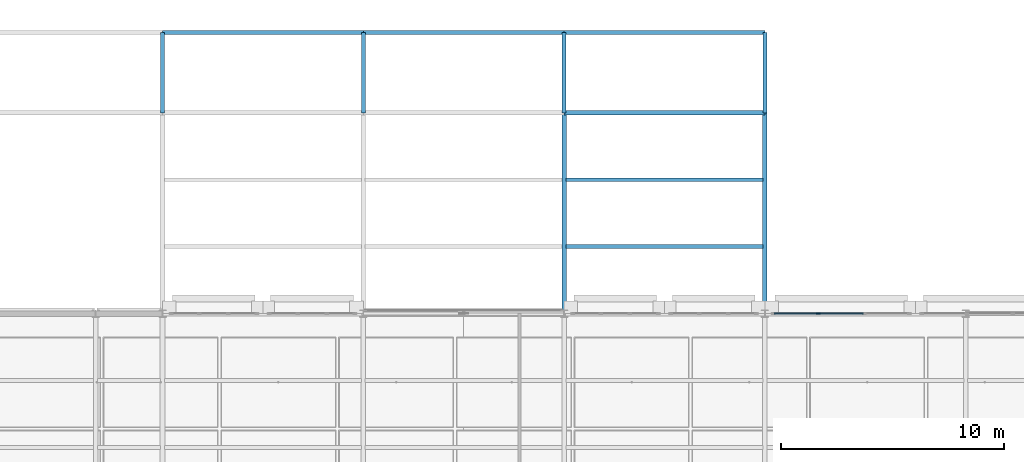
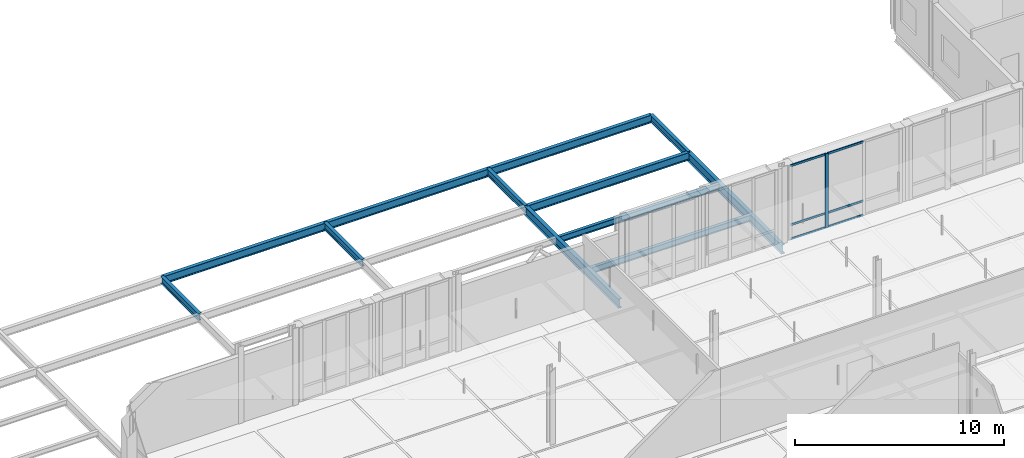
# One storey, part 57 of 140: 12 beams, 7 members, 1 element without a shape of its own.
"""IFC4 building model written with IfcOpenShell, lengths in metres."""

from ifc_helpers import new_model, si_unit, direction, frame, origin, origin_2d, place, context, subcontext, project, spatial, rectangle, i_section, extrude, material, material_profile, profile_set, type_object, element, aggregate, save


model = new_model("IFC4")

# Units and contexts
model_context = context("Model", 3, precision=1e-05, world=origin(), true_north=direction((0.0, 1.0)))
body_context = subcontext(model_context, "Body", "Model", "MODEL_VIEW")
ifc_project = project(units=[si_unit("LENGTHUNIT", "METRE"), si_unit("AREAUNIT", "SQUARE_METRE"), si_unit("VOLUMEUNIT", "CUBIC_METRE"), si_unit("PLANEANGLEUNIT", "RADIAN"), si_unit("MASSUNIT", "GRAM", prefix="KILO"), si_unit("THERMODYNAMICTEMPERATUREUNIT", "KELVIN"), si_unit("POWERUNIT", "WATT")], contexts=[model_context])

# Site, building, storey
site_placement = place(None, origin())
site = spatial("IfcSite", under=ifc_project, at=site_placement, CompositionType="ELEMENT")
building_placement = place(site_placement, origin())
building = spatial("IfcBuilding", under=site, at=building_placement, Name="Tallowbark Science Centre", CompositionType="ELEMENT")
storey_placement = place(building_placement, frame((0.0, 0.0, 9.89990234375)))
storey = spatial("IfcBuildingStorey", under=building, at=storey_placement, Name="L02", CompositionType="ELEMENT", Elevation=9.89990234375)

# Beams
ifc_material_1 = material(Name="Structural Steel Grade 300PLUS (300 MPa)", Category="steel")
ifc_material_profile_1 = material_profile(ifc_material_1, i_section(OverallWidth=0.177734375, OverallDepth=0.406494140625, WebThickness=0.0078125, FlangeThickness=0.0126953125, FilletRadius=0.011474609375, at=origin_2d()), Name="410UB59.7")
ifc_profile_set_1 = profile_set([ifc_material_profile_1], Name="Structural Steel Grade 300PLUS (300 MPa)")
beam_type_1 = type_object("IfcBeamType", Name="BM-UB410", PredefinedType="BEAM", material=ifc_profile_set_1)
for number, where, z_axis, x_axis, name in (
    (1, (72.0, 108.0, -0.383056640625), (0.0, 1.0, 0.0), (-1.0, 0.0, 0.0), "Primary Girder GRDY-L02-720-1080-1116"),
    (2, (81.0, 108.0, -0.383056640625), (0.0, 1.0, 0.0), (-1.0, 0.0, 0.0), "Primary Girder GRDY-L02-810-1080-1116"),
    (3, (90.0, 108.0, -0.383056640625), (0.0, 1.0, 0.0), (-1.0, 0.0, 0.0), "Primary Girder GRDY-L02-900-1080-1116"),
    (4, (99.0, 108.0, -0.383056640625), (0.0, 1.0, 0.0), (-1.0, 0.0, 0.0), "Primary Girder GRDY-L02-990-1080-1116"),
):
    element("IfcBeam", number, at=place(storey_placement, frame(where, z_axis=z_axis, x_axis=x_axis)), inside=storey, type_object=beam_type_1, Name=name, PredefinedType="BEAM", context=body_context, shape_type="SweptSolid", body=[
        extrude(i_section(OverallWidth=0.177734375, OverallDepth=0.406494140625, WebThickness=0.0078125, FlangeThickness=0.0126953125, FilletRadius=0.011474609375, at=origin_2d()), origin(), (0.0, 0.0, 1.0), 3.60009765625),
    ])
ifc_material_profile_2 = material_profile(ifc_material_1, i_section(OverallWidth=0.208740234375, OverallDepth=0.5283203125, WebThickness=0.009521484375, FlangeThickness=0.01318359375, FilletRadius=0.013916015625, at=origin_2d()), Name="530UB82.0")
ifc_profile_set_2 = profile_set([ifc_material_profile_2], Name="Structural Steel Grade 300PLUS (300 MPa)")
beam_type_2 = type_object("IfcBeamType", Name="BM-UB530B", PredefinedType="BEAM", material=ifc_profile_set_2)
for number, where, z_axis, x_axis, name in (
    (5, (90.0, 99.0, -0.444091796875), (0.0, 1.0, 0.0), (-1.0, 0.0, 0.0), "Primary Girder GRDY-L02-900-990-1080"),
    (6, (99.0, 99.0, -0.444091796875), (0.0, 1.0, 0.0), (-1.0, 0.0, 0.0), "Primary Girder GRDY-L02-990-990-1080"),
):
    element("IfcBeam", number, at=place(storey_placement, frame(where, z_axis=z_axis, x_axis=x_axis)), inside=storey, type_object=beam_type_2, Name=name, PredefinedType="BEAM", context=body_context, shape_type="SweptSolid", body=[
        extrude(i_section(OverallWidth=0.208740234375, OverallDepth=0.5283203125, WebThickness=0.009521484375, FlangeThickness=0.01318359375, FilletRadius=0.013916015625, at=origin_2d()), origin(), (0.0, 0.0, 1.0), 9.0),
    ])

# Curtain wall, members
ifc_material_2 = material(Name="Unitised Thermally Broken Aluminium and Low-E Double Glazing", Category="aluminium")
curtain_wall_type = type_object("IfcCurtainWallType", Name="CW-SYS-FACADE", PredefinedType="NOTDEFINED", material=ifc_material_2)
curtain_wall_placement = place(storey_placement, origin())
curtain_wall = element("IfcCurtainWall", 7, at=curtain_wall_placement, inside=storey, type_object=curtain_wall_type, Name="Unitised Curtain Wall LAB-N-99B CW-L02-075", PredefinedType="NOTDEFINED")
ifc_material_3 = material(Name="Anodised Architectural Aluminium Alloy 6063-T6", Category="aluminium")
ifc_material_profile_3 = material_profile(ifc_material_3, rectangle(XDim=0.06494140625, YDim=0.179931640625, at=origin_2d()), Name="ALU65x180")
ifc_profile_set_3 = profile_set([ifc_material_profile_3], Name="Anodised Architectural Aluminium Alloy 6063-T6")
member_type_1 = type_object("IfcMemberType", Name="CWM-MUL-220", PredefinedType="MULLION", material=ifc_profile_set_3)
member_1_placement = place(storey_placement, frame((101.39990234375, 99.0, 0.0), z_axis=(0.0, 0.0, 1.0), x_axis=(0.0, -1.0, 0.0)))
member_1 = element("IfcMember", 8, at=member_1_placement, type_object=member_type_1, Name="CW-01 mullion 3", PredefinedType="MULLION", context=body_context, shape_type="SweptSolid", body=[
    extrude(rectangle(XDim=0.06494140625, YDim=0.179931640625, at=origin_2d()), origin(), (0.0, 0.0, 1.0), 4.320068359375),
])
ifc_material_profile_4 = material_profile(ifc_material_3, rectangle(XDim=0.054931640625, YDim=0.1201171875, at=origin_2d()), Name="ALU55x120")
ifc_profile_set_4 = profile_set([ifc_material_profile_4], Name="Anodised Architectural Aluminium Alloy 6063-T6")
member_type_2 = type_object("IfcMemberType", Name="CWM-TRN-150", PredefinedType="USERDEFINED", material=ifc_profile_set_4)
member_2_placement = place(storey_placement, frame((103.41748046875, 99.0, 0.027587890625), z_axis=(-1.0, 0.0, 0.0), x_axis=(0.0, -1.0, 0.0)))
member_2 = element("IfcMember", 9, at=member_2_placement, type_object=member_type_2, Name="CW-01 transom 2.1", ObjectType="TRANSOM", PredefinedType="USERDEFINED", context=body_context, shape_type="SweptSolid", body=[
    extrude(rectangle(XDim=0.054931640625, YDim=0.1201171875, at=origin_2d()), origin(), (0.0, 0.0, 1.0), 1.98486328125),
])
member_3_placement = place(storey_placement, frame((103.41748046875, 99.0, 0.85009765625), z_axis=(-1.0, 0.0, 0.0), x_axis=(0.0, -1.0, 0.0)))
member_3 = element("IfcMember", 10, at=member_3_placement, type_object=member_type_2, Name="CW-01 transom 2.2", ObjectType="TRANSOM", PredefinedType="USERDEFINED", context=body_context, shape_type="SweptSolid", body=[
    extrude(rectangle(XDim=0.054931640625, YDim=0.1201171875, at=origin_2d()), origin(), (0.0, 0.0, 1.0), 1.98486328125),
])
member_4_placement = place(storey_placement, frame((103.41748046875, 99.0, 4.29248046875), z_axis=(-1.0, 0.0, 0.0), x_axis=(0.0, -1.0, 0.0)))
member_4 = element("IfcMember", 11, at=member_4_placement, type_object=member_type_2, Name="CW-01 transom 2.3", ObjectType="TRANSOM", PredefinedType="USERDEFINED", context=body_context, shape_type="SweptSolid", body=[
    extrude(rectangle(XDim=0.054931640625, YDim=0.1201171875, at=origin_2d()), origin(), (0.0, 0.0, 1.0), 1.98486328125),
])
member_5_placement = place(storey_placement, frame((101.367431640625, 99.0, 0.027587890625), z_axis=(-1.0, 0.0, 0.0), x_axis=(0.0, -1.0, 0.0)))
member_5 = element("IfcMember", 12, at=member_5_placement, type_object=member_type_2, Name="CW-01 transom 3.1", ObjectType="TRANSOM", PredefinedType="USERDEFINED", context=body_context, shape_type="SweptSolid", body=[
    extrude(rectangle(XDim=0.054931640625, YDim=0.1201171875, at=origin_2d()), origin(), (0.0, 0.0, 1.0), 1.952392578125),
])
member_6_placement = place(storey_placement, frame((101.367431640625, 99.0, 0.85009765625), z_axis=(-1.0, 0.0, 0.0), x_axis=(0.0, -1.0, 0.0)))
member_6 = element("IfcMember", 13, at=member_6_placement, type_object=member_type_2, Name="CW-01 transom 3.2", ObjectType="TRANSOM", PredefinedType="USERDEFINED", context=body_context, shape_type="SweptSolid", body=[
    extrude(rectangle(XDim=0.054931640625, YDim=0.1201171875, at=origin_2d()), origin(), (0.0, 0.0, 1.0), 1.952392578125),
])
member_7_placement = place(storey_placement, frame((101.367431640625, 99.0, 4.29248046875), z_axis=(-1.0, 0.0, 0.0), x_axis=(0.0, -1.0, 0.0)))
member_7 = element("IfcMember", 14, at=member_7_placement, type_object=member_type_2, Name="CW-01 transom 3.3", ObjectType="TRANSOM", PredefinedType="USERDEFINED", context=body_context, shape_type="SweptSolid", body=[
    extrude(rectangle(XDim=0.054931640625, YDim=0.1201171875, at=origin_2d()), origin(), (0.0, 0.0, 1.0), 1.952392578125),
])
aggregate(curtain_wall, [member_1, member_2, member_3, member_4, member_5, member_6, member_7])

# Beams
ifc_material_profile_5 = material_profile(ifc_material_1, i_section(OverallWidth=0.172119140625, OverallDepth=0.358642578125, WebThickness=0.008056640625, FlangeThickness=0.012939453125, FilletRadius=0.011474609375, at=origin_2d()), Name="360UB56.7")
ifc_profile_set_5 = profile_set([ifc_material_profile_5], Name="Structural Steel Grade 300PLUS (300 MPa)")
beam_type_3 = type_object("IfcBeamType", Name="JST-UB360", PredefinedType="JOIST", material=ifc_profile_set_5)
for number, where, z_axis, x_axis, name in (
    (15, (90.0849609375, 102.0, -0.359130859375), (1.0, 0.0, 0.0), (0.0, 1.0, 0.0), "Composite Floor Joist JSTX-L02-900-1020"),
    (16, (90.0849609375, 105.0, -0.359130859375), (1.0, 0.0, 0.0), (0.0, 1.0, 0.0), "Composite Floor Joist JSTX-L02-900-1050"),
):
    element("IfcBeam", number, at=place(storey_placement, frame(where, z_axis=z_axis, x_axis=x_axis)), inside=storey, type_object=beam_type_3, Name=name, PredefinedType="JOIST", context=body_context, shape_type="SweptSolid", body=[
        extrude(i_section(OverallWidth=0.172119140625, OverallDepth=0.358642578125, WebThickness=0.008056640625, FlangeThickness=0.012939453125, FilletRadius=0.011474609375, at=origin_2d()), origin(), (0.0, 0.0, 1.0), 8.830078125),
    ])
ifc_material_profile_6 = material_profile(ifc_material_1, i_section(OverallWidth=0.18994140625, OverallDepth=0.453857421875, WebThickness=0.008544921875, FlangeThickness=0.0126953125, FilletRadius=0.011474609375, at=origin_2d()), Name="460UB67.1")
ifc_profile_set_6 = profile_set([ifc_material_profile_6], Name="Structural Steel Grade 300PLUS (300 MPa)")
beam_type_4 = type_object("IfcBeamType", Name="SPN-UB460", PredefinedType="SPANDREL", material=ifc_profile_set_6)
for number, where, z_axis, x_axis, name in (
    (17, (90.0, 108.0, -0.40673828125), (1.0, 0.0, 0.0), (0.0, 1.0, 0.0), "Primary Girder GRDX-L02-900-990-1080"),
    (18, (72.0, 111.60009765625, -0.40673828125), (1.0, 0.0, 0.0), (0.0, 1.0, 0.0), "Primary Girder GRDX-L02-720-810-1116"),
    (19, (81.0, 111.60009765625, -0.40673828125), (1.0, 0.0, 0.0), (0.0, 1.0, 0.0), "Primary Girder GRDX-L02-810-900-1116"),
    (20, (90.0, 111.60009765625, -0.40673828125), (1.0, 0.0, 0.0), (0.0, 1.0, 0.0), "Primary Girder GRDX-L02-900-990-1116"),
):
    element("IfcBeam", number, at=place(storey_placement, frame(where, z_axis=z_axis, x_axis=x_axis)), inside=storey, type_object=beam_type_4, Name=name, PredefinedType="SPANDREL", context=body_context, shape_type="SweptSolid", body=[
        extrude(i_section(OverallWidth=0.18994140625, OverallDepth=0.453857421875, WebThickness=0.008544921875, FlangeThickness=0.0126953125, FilletRadius=0.011474609375, at=origin_2d()), origin(), (0.0, 0.0, 1.0), 9.0),
    ])

save(model, "model.ifc")
